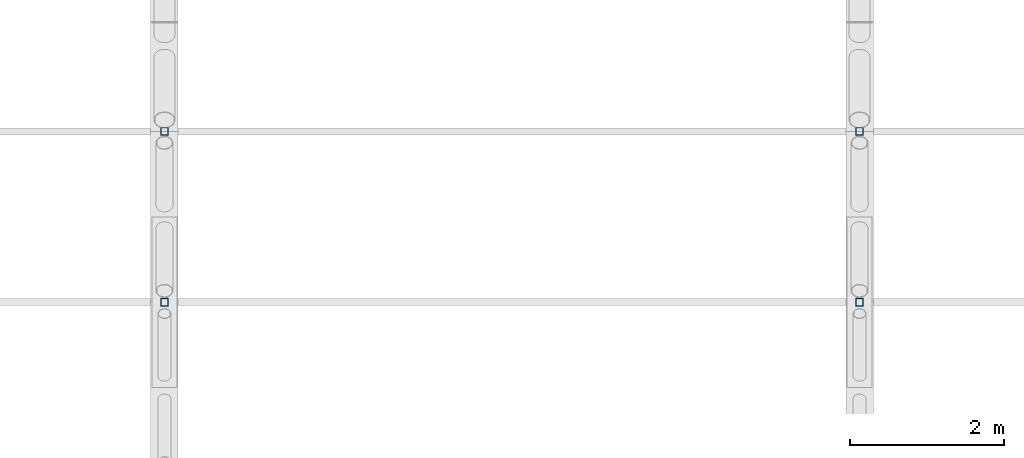
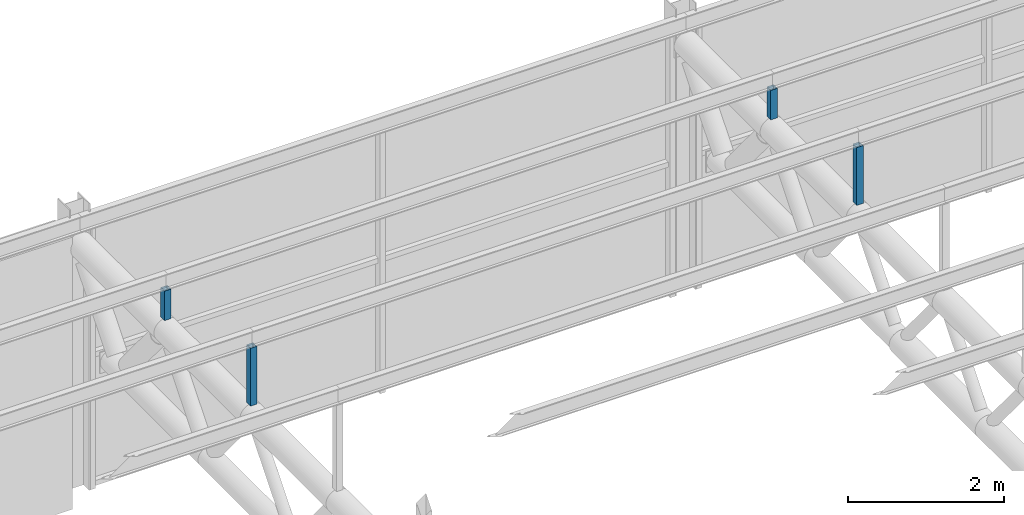
# One storey, part 94 of 138: 4 members.
"""IFC4 building model written with IfcOpenShell, lengths in metres."""

from ifc_helpers import new_model, si_unit, direction, frame, origin, origin_2d, place, context, subcontext, project, spatial, hollow_rectangle, extrude, material, material_profile, profile_set, type_object, element, save


model = new_model("IFC4")

# Units and contexts
model_context = context("Model", 3, precision=1e-05, world=origin(), true_north=direction((0.0, 1.0)))
body_context = subcontext(model_context, "Body", "Model", "MODEL_VIEW")
ifc_project = project(units=[si_unit("LENGTHUNIT", "METRE"), si_unit("AREAUNIT", "SQUARE_METRE"), si_unit("VOLUMEUNIT", "CUBIC_METRE"), si_unit("PLANEANGLEUNIT", "RADIAN"), si_unit("MASSUNIT", "GRAM", prefix="KILO")], contexts=[model_context])

# Site, building, storey
site_placement = place(None, origin())
site = spatial("IfcSite", under=ifc_project, at=site_placement, CompositionType="ELEMENT")
building_placement = place(site_placement, origin())
building = spatial("IfcBuilding", under=site, at=building_placement, Name="Corbel Yard City Hall", CompositionType="ELEMENT")
storey_placement = place(building_placement, frame((0.0, 0.0, 10.5)))
storey = spatial("IfcBuildingStorey", under=building, at=storey_placement, Name="L02", CompositionType="ELEMENT", Elevation=10.5)

# Members
ifc_material = material(Name="Steel Grade C450L0", Category="steel")
ifc_material_profile = material_profile(ifc_material, hollow_rectangle(XDim=0.10009765625, YDim=0.10009765625, WallThickness=0.006103515625, at=origin_2d()), Name="100x100x6.0SHS")
ifc_profile_set = profile_set([ifc_material_profile], Name="Steel Grade C450L0")
member_type = type_object("IfcMemberType", Name="Roof post 100x100x6.0SHS", PredefinedType="POST", material=ifc_profile_set)
member_1_placement = place(storey_placement, frame((99.0, 22.423828125, 4.10009765625), z_axis=(0.0, 0.0, 1.0), x_axis=(1.0, 0.0, 0.0)))
element("IfcMember", 1, at=member_1_placement, inside=storey, type_object=member_type, Name="Roof post 100x100x6.0SHS RP3", PredefinedType="POST", context=body_context, shape_type="SweptSolid", body=[
    extrude(hollow_rectangle(XDim=0.10009765625, YDim=0.10009765625, WallThickness=0.006103515625, at=origin_2d()), origin(), (0.0, 0.0, 1.0), 0.90625),
])
member_2_placement = place(storey_placement, frame((99.0, 24.6357421875, 4.10009765625), z_axis=(0.0, 0.0, 1.0), x_axis=(1.0, 0.0, 0.0)))
element("IfcMember", 2, at=member_2_placement, inside=storey, type_object=member_type, Name="Roof post 100x100x6.0SHS RP3", PredefinedType="POST", context=body_context, shape_type="SweptSolid", body=[
    extrude(hollow_rectangle(XDim=0.10009765625, YDim=0.10009765625, WallThickness=0.006103515625, at=origin_2d()), origin(), (0.0, 0.0, 1.0), 0.4638671875),
])
member_3_placement = place(storey_placement, frame((108.0, 22.423828125, 4.10009765625), z_axis=(0.0, 0.0, 1.0), x_axis=(1.0, 0.0, 0.0)))
element("IfcMember", 3, at=member_3_placement, inside=storey, type_object=member_type, Name="Roof post 100x100x6.0SHS RP3", PredefinedType="POST", context=body_context, shape_type="SweptSolid", body=[
    extrude(hollow_rectangle(XDim=0.10009765625, YDim=0.10009765625, WallThickness=0.006103515625, at=origin_2d()), origin(), (0.0, 0.0, 1.0), 0.90625),
])
member_4_placement = place(storey_placement, frame((108.0, 24.6357421875, 4.10009765625), z_axis=(0.0, 0.0, 1.0), x_axis=(1.0, 0.0, 0.0)))
element("IfcMember", 4, at=member_4_placement, inside=storey, type_object=member_type, Name="Roof post 100x100x6.0SHS RP3", PredefinedType="POST", context=body_context, shape_type="SweptSolid", body=[
    extrude(hollow_rectangle(XDim=0.10009765625, YDim=0.10009765625, WallThickness=0.006103515625, at=origin_2d()), origin(), (0.0, 0.0, 1.0), 0.4638671875),
])

save(model, "model.ifc")
